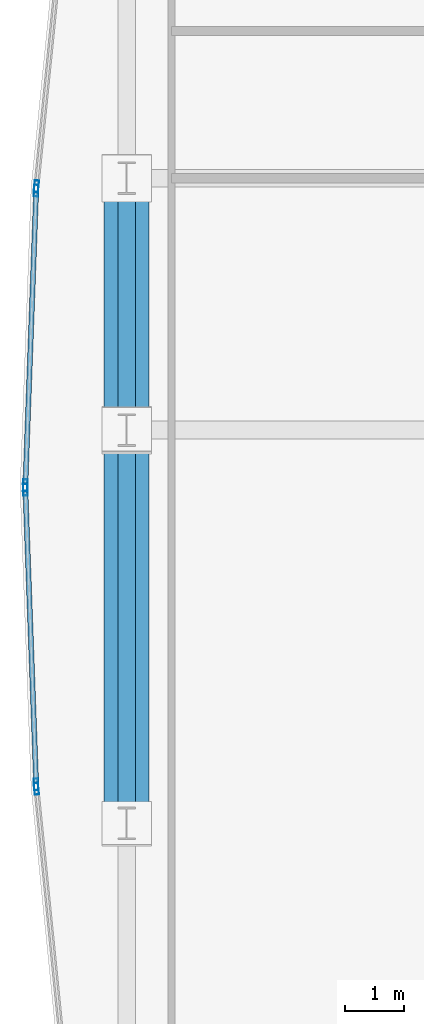
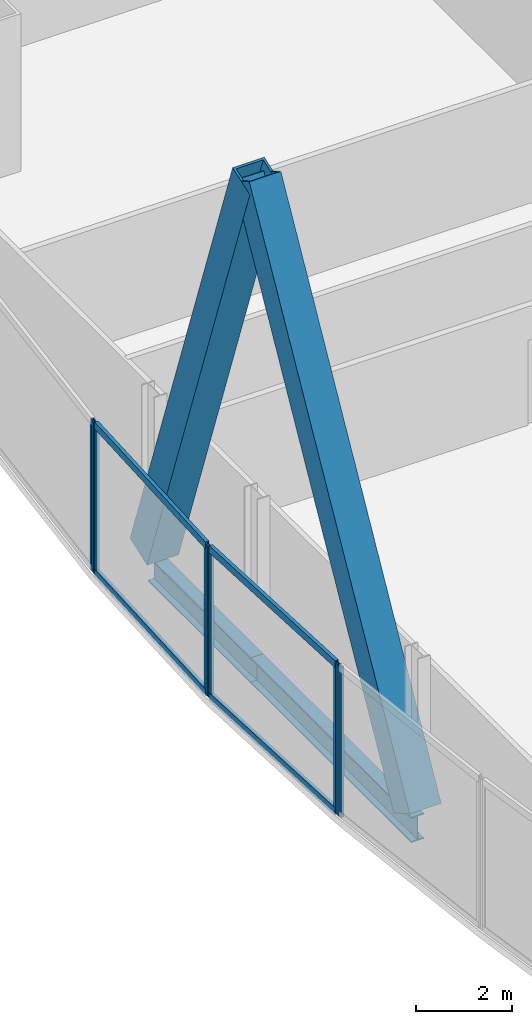
# One storey, part 10 of 35: 12 members, 2 beams, 4 elements without a shape of their own.
"""IFC4 building model written with IfcOpenShell, lengths in metres."""

from ifc_helpers import new_model, si_unit, direction, frame, origin, origin_2d, place, context, subcontext, project, spatial, hollow_rectangle, i_section, extrude, material, material_profile, profile_set, type_object, element, aggregate, save


model = new_model("IFC4")

# Units and contexts
model_context = context("Model", 3, precision=1e-05, world=origin(), true_north=direction((0.0, 1.0)))
body_context = subcontext(model_context, "Body", "Model", "MODEL_VIEW")
ifc_project = project(units=[si_unit("LENGTHUNIT", "METRE"), si_unit("AREAUNIT", "SQUARE_METRE"), si_unit("VOLUMEUNIT", "CUBIC_METRE"), si_unit("PLANEANGLEUNIT", "RADIAN"), si_unit("MASSUNIT", "GRAM", prefix="KILO")], contexts=[model_context])

# Site, building, storey
site_placement = place(None, origin())
site = spatial("IfcSite", under=ifc_project, at=site_placement, CompositionType="ELEMENT")
building_placement = place(site_placement, origin())
building = spatial("IfcBuilding", under=site, at=building_placement, Name="Khoronbel Lancet Exchange", CompositionType="ELEMENT")
storey_placement = place(building_placement, frame((0.0, 0.0, 37.800048828125)))
storey = spatial("IfcBuildingStorey", under=building, at=storey_placement, Name="L08", CompositionType="ELEMENT", Elevation=37.800048828125)

# Beams
ifc_material_1 = material(Name="Steel S355", Category="steel")
ifc_material_profile_1 = material_profile(ifc_material_1, i_section(OverallWidth=0.300048828125, OverallDepth=0.64990234375, WebThickness=0.01611328125, FlangeThickness=0.031005859375, at=origin_2d()), Name="HEB 650")
ifc_profile_set_1 = profile_set([ifc_material_profile_1], Name="Steel S355")
beam_type = type_object("IfcBeamType", Name="BM-BSP1", PredefinedType="SPANDREL", material=ifc_profile_set_1)
beam_1_placement = place(storey_placement, frame((1.27001953125, 35.699951171875, -0.505126953125), z_axis=(0.0, -1.0, 0.0), x_axis=(1.0, 0.0, 0.0)))
element("IfcBeam", 1, at=beam_1_placement, inside=storey, type_object=beam_type, Name="Level L08 perimeter spandrel beam SP18", PredefinedType="SPANDREL", context=body_context, shape_type="SweptSolid", body=[
    extrude(i_section(OverallWidth=0.300048828125, OverallDepth=0.64990234375, WebThickness=0.01611328125, FlangeThickness=0.031005859375, at=origin_2d()), origin(), (0.0, 0.0, 1.0), 4.27490234375),
])
beam_2_placement = place(storey_placement, frame((1.27001953125, 31.425048828125, -0.505126953125), z_axis=(0.0, -1.0, 0.0), x_axis=(1.0, 0.0, 0.0)))
element("IfcBeam", 2, at=beam_2_placement, inside=storey, type_object=beam_type, Name="Level L08 perimeter spandrel beam SP19", PredefinedType="SPANDREL", context=body_context, shape_type="SweptSolid", body=[
    extrude(i_section(OverallWidth=0.300048828125, OverallDepth=0.64990234375, WebThickness=0.01611328125, FlangeThickness=0.031005859375, at=origin_2d()), origin(), (0.0, 0.0, 1.0), 6.675048828125),
])

# Curtain wall, member
ifc_material_2 = material(Name="Low-E Solar Control Insulating Glass", Category="glass")
curtain_wall_type = type_object("IfcCurtainWallType", Name="CW-4", PredefinedType="NOTDEFINED", material=ifc_material_2)
curtain_wall_1_placement = place(storey_placement, origin())
curtain_wall_1 = element("IfcCurtainWall", 3, at=curtain_wall_1_placement, inside=storey, type_object=curtain_wall_type, Name="Unitised curtain wall CW-L08-E05", PredefinedType="NOTDEFINED")
ifc_material_3 = material(Name="Bronze-Anodised Aluminium 6063-T6", Category="aluminium")
ifc_material_profile_2 = material_profile(ifc_material_3, hollow_rectangle(XDim=0.074951171875, YDim=0.199951171875, WallThickness=0.0048828125, at=origin_2d()), Name="ALU MULLION 75x200")
ifc_profile_set_2 = profile_set([ifc_material_profile_2], Name="Bronze-Anodised Aluminium 6063-T6")
member_type_1 = type_object("IfcMemberType", Name="MEM-CWM2", PredefinedType="MULLION", material=ifc_profile_set_2)
member_1_placement = place(storey_placement, frame((-0.26025390625, 25.33544921875, 0.0), z_axis=(0.0, 0.0, 1.0), x_axis=(-0.995027292608, -0.099602645371, 0.0)))
member_1 = element("IfcMember", 4, at=member_1_placement, type_object=member_type_1, Name="CW4 mullion 2", PredefinedType="MULLION", context=body_context, shape_type="SweptSolid", body=[
    extrude(hollow_rectangle(XDim=0.074951171875, YDim=0.199951171875, WallThickness=0.0048828125, at=origin_2d()), origin(), (0.0, 0.0, 1.0), 3.820068359375),
])
aggregate(curtain_wall_1, [member_1])

# Curtain wall, members
curtain_wall_2_placement = place(storey_placement, origin())
curtain_wall_2 = element("IfcCurtainWall", 5, at=curtain_wall_2_placement, inside=storey, type_object=curtain_wall_type, Name="Unitised curtain wall CW-L08-E06", PredefinedType="NOTDEFINED")
member_2_placement = place(storey_placement, frame((-0.265380859375, 25.41015625, 0.0), z_axis=(0.0, 0.0, 1.0), x_axis=(-0.999330356224, -0.036590150718, 0.0)))
member_2 = element("IfcMember", 6, at=member_2_placement, type_object=member_type_1, Name="CW4 mullion 1", PredefinedType="MULLION", context=body_context, shape_type="SweptSolid", body=[
    extrude(hollow_rectangle(XDim=0.074951171875, YDim=0.199951171875, WallThickness=0.0048828125, at=origin_2d()), origin(), (0.0, 0.0, 1.0), 3.820068359375),
])
member_3_placement = place(storey_placement, frame((-0.448486328125, 30.41259765625, 0.0), z_axis=(0.0, 0.0, 1.0), x_axis=(-0.999330356224, -0.036590150718, 0.0)))
member_3 = element("IfcMember", 7, at=member_3_placement, type_object=member_type_1, Name="CW4 mullion 2", PredefinedType="MULLION", context=body_context, shape_type="SweptSolid", body=[
    extrude(hollow_rectangle(XDim=0.074951171875, YDim=0.199951171875, WallThickness=0.0048828125, at=origin_2d()), origin(), (0.0, 0.0, 1.0), 3.820068359375),
])

curtain_wall_3_placement = place(storey_placement, origin())
curtain_wall_3 = element("IfcCurtainWall", 8, at=curtain_wall_3_placement, inside=storey, type_object=curtain_wall_type, Name="Unitised curtain wall CW-L08-E07", PredefinedType="NOTDEFINED")
member_4_placement = place(storey_placement, frame((-0.448486328125, 30.487548828125, 0.0), z_axis=(0.0, 0.0, 1.0), x_axis=(-0.999330356224, 0.036590150718, 0.0)))
member_4 = element("IfcMember", 9, at=member_4_placement, type_object=member_type_1, Name="CW4 mullion 1", PredefinedType="MULLION", context=body_context, shape_type="SweptSolid", body=[
    extrude(hollow_rectangle(XDim=0.074951171875, YDim=0.199951171875, WallThickness=0.0048828125, at=origin_2d()), origin(), (0.0, 0.0, 1.0), 3.820068359375),
])
member_5_placement = place(storey_placement, frame((-0.265380859375, 35.48974609375, 0.0), z_axis=(0.0, 0.0, 1.0), x_axis=(-0.999330356224, 0.036590150718, 0.0)))
member_5 = element("IfcMember", 10, at=member_5_placement, type_object=member_type_1, Name="CW4 mullion 2", PredefinedType="MULLION", context=body_context, shape_type="SweptSolid", body=[
    extrude(hollow_rectangle(XDim=0.074951171875, YDim=0.199951171875, WallThickness=0.0048828125, at=origin_2d()), origin(), (0.0, 0.0, 1.0), 3.820068359375),
])

# Curtain wall, member
curtain_wall_4_placement = place(storey_placement, origin())
curtain_wall_4 = element("IfcCurtainWall", 11, at=curtain_wall_4_placement, inside=storey, type_object=curtain_wall_type, Name="Unitised curtain wall CW-L08-E08", PredefinedType="NOTDEFINED")
member_6_placement = place(storey_placement, frame((-0.26025390625, 35.564453125, 0.0), z_axis=(0.0, 0.0, 1.0), x_axis=(-0.995027292608, 0.099602645371, 0.0)))
member_6 = element("IfcMember", 12, at=member_6_placement, type_object=member_type_1, Name="CW4 mullion 1", PredefinedType="MULLION", context=body_context, shape_type="SweptSolid", body=[
    extrude(hollow_rectangle(XDim=0.074951171875, YDim=0.199951171875, WallThickness=0.0048828125, at=origin_2d()), origin(), (0.0, 0.0, 1.0), 3.820068359375),
])
aggregate(curtain_wall_4, [member_6])

# Member
ifc_material_profile_3 = material_profile(ifc_material_3, hollow_rectangle(XDim=0.0849609375, YDim=0.179931640625, WallThickness=0.0048828125, at=origin_2d()), Name="ALU TRANSOM 85x180")
ifc_profile_set_3 = profile_set([ifc_material_profile_3], Name="Bronze-Anodised Aluminium 6063-T6")
member_type_2 = type_object("IfcMemberType", Name="MEM-CWT1", PredefinedType="USERDEFINED", material=ifc_profile_set_3)
member_7_placement = place(storey_placement, frame((-0.2666015625, 25.44775390625, 0.04248046875), z_axis=(-0.036592264199, 0.999330278837, 0.0), x_axis=(-0.999330278837, -0.036592264199, 0.0)))
member_7 = element("IfcMember", 13, at=member_7_placement, type_object=member_type_2, Name="CW4 transom 1.1", ObjectType="TRANSOM", PredefinedType="USERDEFINED", context=body_context, shape_type="SweptSolid", body=[
    extrude(hollow_rectangle(XDim=0.0849609375, YDim=0.179931640625, WallThickness=0.0048828125, at=origin_2d()), origin(), (0.0, 0.0, 1.0), 4.9306640625),
])

member_8_placement = place(storey_placement, frame((-0.2666015625, 25.44775390625, 3.77734375), z_axis=(-0.036592264199, 0.999330278837, 0.0), x_axis=(-0.999330278837, -0.036592264199, 0.0)))
member_8 = element("IfcMember", 14, at=member_8_placement, type_object=member_type_2, Name="CW4 transom 1.2", ObjectType="TRANSOM", PredefinedType="USERDEFINED", context=body_context, shape_type="SweptSolid", body=[
    extrude(hollow_rectangle(XDim=0.0849609375, YDim=0.179931640625, WallThickness=0.0048828125, at=origin_2d()), origin(), (0.0, 0.0, 1.0), 4.9306640625),
])

aggregate(curtain_wall_2, [member_2, member_3, member_7, member_8])

member_9_placement = place(storey_placement, frame((-0.447021484375, 30.52490234375, 0.04248046875), z_axis=(0.036592264199, 0.999330278837, 0.0), x_axis=(-0.999330278837, 0.036592264199, 0.0)))
member_9 = element("IfcMember", 15, at=member_9_placement, type_object=member_type_2, Name="CW4 transom 1.1", ObjectType="TRANSOM", PredefinedType="USERDEFINED", context=body_context, shape_type="SweptSolid", body=[
    extrude(hollow_rectangle(XDim=0.0849609375, YDim=0.179931640625, WallThickness=0.0048828125, at=origin_2d()), origin(), (0.0, 0.0, 1.0), 4.9306640625),
])

member_10_placement = place(storey_placement, frame((-0.447021484375, 30.52490234375, 3.77734375), z_axis=(0.036592264199, 0.999330278837, 0.0), x_axis=(-0.999330278837, 0.036592264199, 0.0)))
member_10 = element("IfcMember", 16, at=member_10_placement, type_object=member_type_2, Name="CW4 transom 1.2", ObjectType="TRANSOM", PredefinedType="USERDEFINED", context=body_context, shape_type="SweptSolid", body=[
    extrude(hollow_rectangle(XDim=0.0849609375, YDim=0.179931640625, WallThickness=0.0048828125, at=origin_2d()), origin(), (0.0, 0.0, 1.0), 4.9306640625),
])

aggregate(curtain_wall_3, [member_4, member_5, member_9, member_10])

# Members
ifc_material_4 = material(Name="Steel S460", Category="steel")
ifc_material_profile_4 = material_profile(ifc_material_4, hollow_rectangle(XDim=0.760009765625, YDim=0.760009765625, WallThickness=0.054931640625, at=origin_2d()), Name="BOX 760x760x55")
ifc_profile_set_4 = profile_set([ifc_material_profile_4], Name="Steel S460")
member_type_3 = type_object("IfcMemberType", Name="MEM-MB1", PredefinedType="BRACE", material=ifc_profile_set_4)
member_11_placement = place(storey_placement, frame((1.27001953125, 24.75, 0.0), z_axis=(0.0, 0.486109322328, 0.873898007061), x_axis=(-1.0, 0.0, 0.0)))
element("IfcMember", 17, at=member_11_placement, inside=storey, type_object=member_type_3, Name="Perimeter lancet brace tier 2 W-P-L", PredefinedType="BRACE", context=body_context, shape_type="SweptSolid", body=[
    extrude(hollow_rectangle(XDim=0.760009765625, YDim=0.760009765625, WallThickness=0.054931640625, at=origin_2d()), origin(), (0.0, 0.0, 1.0), 13.731689453125),
])
member_12_placement = place(storey_placement, frame((1.27001953125, 35.699951171875, 0.0), z_axis=(0.0, -0.335583554792, 0.94201044461), x_axis=(1.0, 0.0, 0.0)))
element("IfcMember", 18, at=member_12_placement, inside=storey, type_object=member_type_3, Name="Perimeter lancet brace tier 2 W-P-R", PredefinedType="BRACE", context=body_context, shape_type="SweptSolid", body=[
    extrude(hollow_rectangle(XDim=0.760009765625, YDim=0.760009765625, WallThickness=0.054931640625, at=origin_2d()), origin(), (0.0, 0.0, 1.0), 12.73876953125),
])

save(model, "model.ifc")
